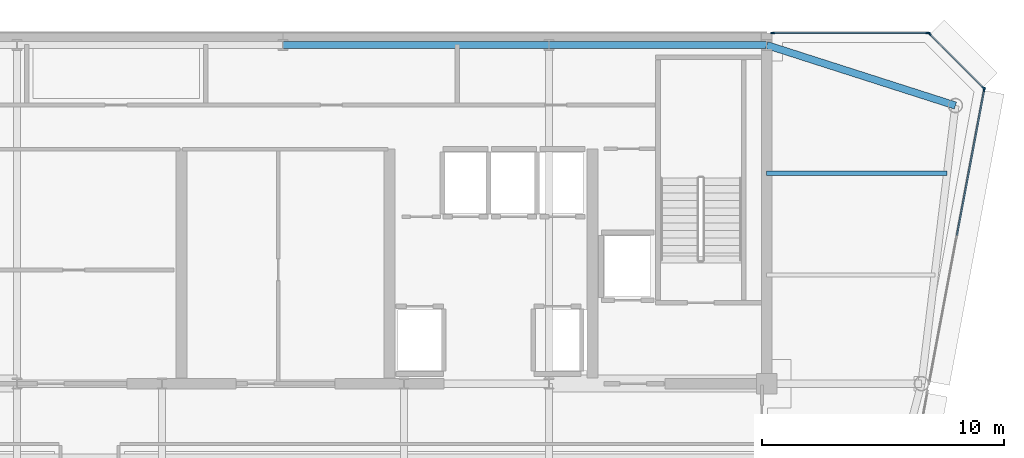
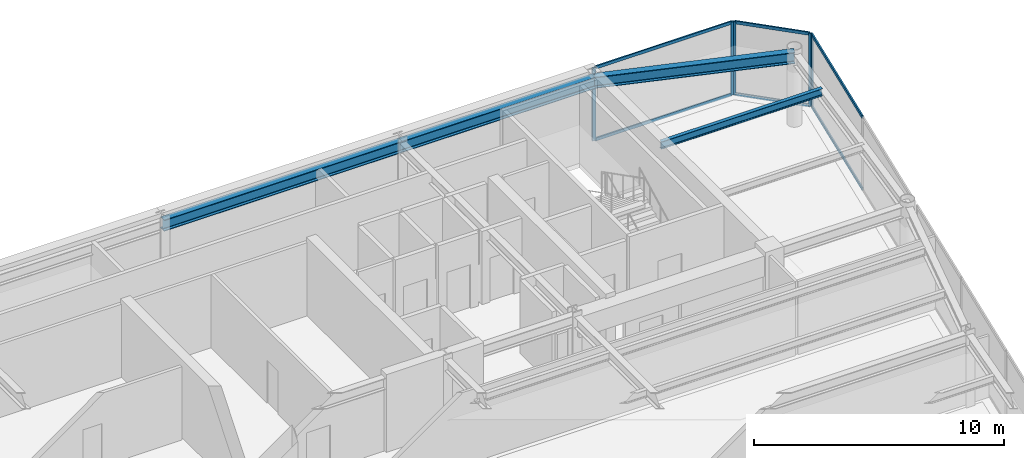
# One storey, part 9 of 20: 11 members, 4 beams, 3 elements without a shape of their own.
"""IFC4 building model written with IfcOpenShell, lengths in metres."""

from ifc_helpers import new_model, si_unit, direction, frame, origin, origin_2d, place, context, subcontext, project, spatial, rectangle, i_section, extrude, source, transform, mapped, material, layer, layer_set, material_profile, profile_set, type_object, element, aggregate, save


model = new_model("IFC4")

# Units and contexts
model_context = context("Model", 3, precision=1e-05, world=origin(), true_north=direction((0.0, 1.0)))
body_context = subcontext(model_context, "Body", "Model", "MODEL_VIEW")
ifc_project = project(units=[si_unit("LENGTHUNIT", "METRE"), si_unit("AREAUNIT", "SQUARE_METRE"), si_unit("VOLUMEUNIT", "CUBIC_METRE"), si_unit("PLANEANGLEUNIT", "RADIAN"), si_unit("MASSUNIT", "GRAM", prefix="KILO")], contexts=[model_context])

# Site, building, storey
site_placement = place(None, origin())
site = spatial("IfcSite", under=ifc_project, at=site_placement, CompositionType="ELEMENT")
building_placement = place(site_placement, origin())
building = spatial("IfcBuilding", under=site, at=building_placement, Name="Vaeldorn Concourse Tower", CompositionType="ELEMENT")
storey_placement = place(building_placement, frame((0.0, 0.0, 268.800048828125)))
storey = spatial("IfcBuildingStorey", under=building, at=storey_placement, Name="L69", CompositionType="ELEMENT", Elevation=268.800048828125)

# Beams
ifc_material_1 = material(Name="Steel S355", Category="steel")
ifc_material_profile_1 = material_profile(ifc_material_1, i_section(OverallWidth=0.300048828125, OverallDepth=0.550048828125, WebThickness=0.014892578125, FlangeThickness=0.029052734375, FilletRadius=0.027099609375, at=origin_2d()), Name="HEB 550")
ifc_profile_set_1 = profile_set([ifc_material_profile_1], Name="Steel S355")
beam_type_1 = type_object("IfcBeamType", Name="BM-PG-HEB550", PredefinedType="BEAM", material=ifc_profile_set_1)
shared_shape_1 = source(origin(), body_context, "Body", "SweptSolid", [
    extrude(i_section(OverallWidth=0.300048828125, OverallDepth=0.550048828125, WebThickness=0.014892578125, FlangeThickness=0.029052734375, FilletRadius=0.027099609375, at=origin_2d()), origin(), (0.0, 0.0, 1.0), 9.0),
])
beam_1_placement = place(storey_placement, frame((45.0, 50.5, 3.304931640625), z_axis=(1.0, 0.0, 0.0), x_axis=(0.0, 1.0, 0.0)))
element("IfcBeam", 1, at=beam_1_placement, inside=storey, type_object=beam_type_1, Name="Beam BM-L69-C-HC4-C-HC5", PredefinedType="BEAM", context=body_context, shape_type="MappedRepresentation", body=[
    mapped(shared_shape_1, transform((0.0, 0.0, 0.0), scale=1.0)),
])
shared_shape_2 = source(origin(), body_context, "Body", "SweptSolid", [
    extrude(i_section(OverallWidth=0.300048828125, OverallDepth=0.550048828125, WebThickness=0.014892578125, FlangeThickness=0.029052734375, FilletRadius=0.027099609375, at=origin_2d()), origin(), (0.0, 0.0, 1.0), 11.0),
])
beam_2_placement = place(storey_placement, frame((34.0, 50.5, 3.304931640625), z_axis=(1.0, 0.0, 0.0), x_axis=(0.0, 1.0, 0.0)))
element("IfcBeam", 2, at=beam_2_placement, inside=storey, type_object=beam_type_1, Name="Beam BM-L69-C-HC3-C-HC4", PredefinedType="BEAM", context=body_context, shape_type="MappedRepresentation", body=[
    mapped(shared_shape_2, transform((0.0, 0.0, 0.0), scale=1.0)),
])
shared_shape_3 = source(origin(), body_context, "Body", "SweptSolid", [
    extrude(i_section(OverallWidth=0.300048828125, OverallDepth=0.550048828125, WebThickness=0.014892578125, FlangeThickness=0.029052734375, FilletRadius=0.027099609375, at=origin_2d()), origin(), (0.0, 0.0, 1.0), 8.19091796875),
])
beam_3_placement = place(storey_placement, frame((54.0, 50.5, 3.304931640625), z_axis=(0.952282843383, -0.305216949396, 0.0), x_axis=(0.305216949396, 0.952282843383, 0.0)))
element("IfcBeam", 3, at=beam_3_placement, inside=storey, type_object=beam_type_1, Name="Beam BM-L69-C-HC5-C-NE1", PredefinedType="BEAM", context=body_context, shape_type="MappedRepresentation", body=[
    mapped(shared_shape_3, transform((0.0, 0.0, 0.0), scale=1.0)),
])
ifc_material_profile_2 = material_profile(ifc_material_1, i_section(OverallWidth=0.169921875, OverallDepth=0.360107421875, WebThickness=0.008056640625, FlangeThickness=0.0126953125, FilletRadius=0.01806640625, at=origin_2d()), Name="IPE 360")
ifc_profile_set_2 = profile_set([ifc_material_profile_2], Name="Steel S355")
beam_type_2 = type_object("IfcBeamType", Name="BM-JS-IPE360", PredefinedType="JOIST", material=ifc_profile_set_2)
shared_shape_4 = source(origin(), body_context, "Body", "SweptSolid", [
    extrude(i_section(OverallWidth=0.169921875, OverallDepth=0.360107421875, WebThickness=0.008056640625, FlangeThickness=0.0126953125, FilletRadius=0.01806640625, at=origin_2d()), origin(), (0.0, 0.0, 1.0), 7.458984375),
])
beam_4_placement = place(storey_placement, frame((54.0, 45.199951171875, 3.39990234375), z_axis=(1.0, 0.0, 0.0), x_axis=(0.0, 1.0, 0.0)))
element("IfcBeam", 4, at=beam_4_placement, inside=storey, type_object=beam_type_2, Name="Beam JS-L69-NE-452", PredefinedType="JOIST", context=body_context, shape_type="MappedRepresentation", body=[
    mapped(shared_shape_4, transform((0.0, 0.0, 0.0), scale=1.0)),
])

# Curtain wall, member
ifc_material_2 = material(Name="Anodised Bronze Aluminium", Category="aluminium")
ifc_layer_1 = layer(ifc_material_2, 0.2099609375)
ifc_layer_set_1 = layer_set([ifc_layer_1], Name="Anodised Bronze Aluminium")
curtain_wall_type_1 = type_object("IfcCurtainWallType", Name="CW-SYS-06", PredefinedType="NOTDEFINED", material=ifc_layer_set_1)
curtain_wall_1_placement = place(storey_placement, origin())
curtain_wall_1 = element("IfcCurtainWall", 5, at=curtain_wall_1_placement, inside=storey, type_object=curtain_wall_type_1, Name="Unitised Curtain Wall CW-L69-E07-2", PredefinedType="NOTDEFINED")
ifc_material_profile_3 = material_profile(ifc_material_2, rectangle(XDim=0.06494140625, YDim=0.169921875, at=origin_2d()), Name="CWM 65x170")
ifc_profile_set_3 = profile_set([ifc_material_profile_3], Name="Anodised Bronze Aluminium")
member_type_1 = type_object("IfcMemberType", Name="CWM-BRONZE-170", PredefinedType="MULLION", material=ifc_profile_set_3)
shared_shape_5 = source(origin(), body_context, "Body", "SweptSolid", [
    extrude(rectangle(XDim=0.06494140625, YDim=0.169921875, at=origin_2d()), origin(), (0.0, 0.0, 1.0), 3.579833984375),
])
member_1_placement = place(storey_placement, frame((62.993896484375, 48.66796875, 0.0), z_axis=(0.0, 0.0, 1.0), x_axis=(-0.982880218842, 0.184245693053, 0.0)))
member_1 = element("IfcMember", 6, at=member_1_placement, type_object=member_type_1, Name="CW-06 mullion 3", PredefinedType="MULLION", context=body_context, shape_type="MappedRepresentation", body=[
    mapped(shared_shape_5, transform((0.0, 0.0, 0.0), scale=1.0)),
])

# Curtain wall, members
ifc_layer_2 = layer(ifc_material_2, 0.179931640625)
ifc_layer_set_2 = layer_set([ifc_layer_2], Name="Anodised Bronze Aluminium")
curtain_wall_type_2 = type_object("IfcCurtainWallType", Name="CW-SYS-05", PredefinedType="NOTDEFINED", material=ifc_layer_set_2)
curtain_wall_2_placement = place(storey_placement, origin())
curtain_wall_2 = element("IfcCurtainWall", 7, at=curtain_wall_2_placement, inside=storey, type_object=curtain_wall_type_2, Name="Unitised Curtain Wall CW-L69-E08-1", PredefinedType="NOTDEFINED")
member_2_placement = place(storey_placement, frame((62.97705078125, 48.722900390625, 0.0), z_axis=(0.0, 0.0, 1.0), x_axis=(-0.707106781187, -0.707106781187, 0.0)))
member_2 = element("IfcMember", 8, at=member_2_placement, type_object=member_type_1, Name="CW-05 mullion 1", PredefinedType="MULLION", context=body_context, shape_type="MappedRepresentation", body=[
    mapped(shared_shape_5, transform((0.0, 0.0, 0.0), scale=1.0)),
])
member_3_placement = place(storey_placement, frame((60.722900390625, 50.97705078125, 0.0), z_axis=(0.0, 0.0, 1.0), x_axis=(-0.707106781187, -0.707106781187, 0.0)))
member_3 = element("IfcMember", 9, at=member_3_placement, type_object=member_type_1, Name="CW-05 mullion 2", PredefinedType="MULLION", context=body_context, shape_type="MappedRepresentation", body=[
    mapped(shared_shape_5, transform((0.0, 0.0, 0.0), scale=1.0)),
])

curtain_wall_3_placement = place(storey_placement, origin())
curtain_wall_3 = element("IfcCurtainWall", 10, at=curtain_wall_3_placement, inside=storey, type_object=curtain_wall_type_2, Name="Unitised Curtain Wall CW-L69-E09-1", PredefinedType="NOTDEFINED")
member_4_placement = place(storey_placement, frame((60.66748046875, 51.0, 0.0), z_axis=(0.0, 0.0, 1.0), x_axis=(0.0, -1.0, 0.0)))
member_4 = element("IfcMember", 11, at=member_4_placement, type_object=member_type_1, Name="CW-05 mullion 1", PredefinedType="MULLION", context=body_context, shape_type="MappedRepresentation", body=[
    mapped(shared_shape_5, transform((0.0, 0.0, 0.0), scale=1.0)),
])
member_5_placement = place(storey_placement, frame((54.25244140625, 51.0, 0.0), z_axis=(0.0, 0.0, 1.0), x_axis=(0.0, -1.0, 0.0)))
member_5 = element("IfcMember", 12, at=member_5_placement, type_object=member_type_1, Name="CW-05 mullion 2", PredefinedType="MULLION", context=body_context, shape_type="MappedRepresentation", body=[
    mapped(shared_shape_5, transform((0.0, 0.0, 0.0), scale=1.0)),
])

# Member
ifc_material_profile_4 = material_profile(ifc_material_2, rectangle(XDim=0.06494140625, YDim=0.14990234375, at=origin_2d()), Name="CWT 65x150")
ifc_profile_set_4 = profile_set([ifc_material_profile_4], Name="Anodised Bronze Aluminium")
member_type_2 = type_object("IfcMemberType", Name="CWT-BRONZE-150", PredefinedType="USERDEFINED", material=ifc_profile_set_4)
shared_shape_6 = source(origin(), body_context, "Body", "SweptSolid", [
    extrude(rectangle(XDim=0.06494140625, YDim=0.14990234375, at=origin_2d()), origin(), (0.0, 0.0, 1.0), 3.123046875),
])
member_6_placement = place(storey_placement, frame((62.9541015625, 48.745849609375, 0.032470703125), z_axis=(-0.707106781187, 0.707106781187, 0.0), x_axis=(-0.707106781187, -0.707106781187, 0.0)))
member_6 = element("IfcMember", 13, at=member_6_placement, type_object=member_type_2, Name="CW-05 transom 1.1", ObjectType="TRANSOM", PredefinedType="USERDEFINED", context=body_context, shape_type="MappedRepresentation", body=[
    mapped(shared_shape_6, transform((0.0, 0.0, 0.0), scale=1.0)),
])

member_7_placement = place(storey_placement, frame((62.9541015625, 48.745849609375, 3.54736328125), z_axis=(-0.707106781187, 0.707106781187, 0.0), x_axis=(-0.707106781187, -0.707106781187, 0.0)))
member_7 = element("IfcMember", 14, at=member_7_placement, type_object=member_type_2, Name="CW-05 transom 1.2", ObjectType="TRANSOM", PredefinedType="USERDEFINED", context=body_context, shape_type="MappedRepresentation", body=[
    mapped(shared_shape_6, transform((0.0, 0.0, 0.0), scale=1.0)),
])

aggregate(curtain_wall_2, [member_2, member_3, member_6, member_7])

shared_shape_7 = source(origin(), body_context, "Body", "SweptSolid", [
    extrude(rectangle(XDim=0.06494140625, YDim=0.14990234375, at=origin_2d()), origin(), (0.0, 0.0, 1.0), 6.35009765625),
])
member_8_placement = place(storey_placement, frame((60.635009765625, 51.0, 0.032470703125), z_axis=(-1.0, 0.0, 0.0), x_axis=(0.0, -1.0, 0.0)))
member_8 = element("IfcMember", 15, at=member_8_placement, type_object=member_type_2, Name="CW-05 transom 1.1", ObjectType="TRANSOM", PredefinedType="USERDEFINED", context=body_context, shape_type="MappedRepresentation", body=[
    mapped(shared_shape_7, transform((0.0, 0.0, 0.0), scale=1.0)),
])

member_9_placement = place(storey_placement, frame((60.635009765625, 51.0, 3.54736328125), z_axis=(-1.0, 0.0, 0.0), x_axis=(0.0, -1.0, 0.0)))
member_9 = element("IfcMember", 16, at=member_9_placement, type_object=member_type_2, Name="CW-05 transom 1.2", ObjectType="TRANSOM", PredefinedType="USERDEFINED", context=body_context, shape_type="MappedRepresentation", body=[
    mapped(shared_shape_7, transform((0.0, 0.0, 0.0), scale=1.0)),
])

aggregate(curtain_wall_3, [member_4, member_5, member_8, member_9])

shared_shape_8 = source(origin(), body_context, "Body", "SweptSolid", [
    extrude(rectangle(XDim=0.06494140625, YDim=0.14990234375, at=origin_2d()), origin(), (0.0, 0.0, 1.0), 6.103515625),
])
member_10_placement = place(storey_placement, frame((61.863525390625, 42.63720703125, 0.032470703125), z_axis=(0.18424023288, 0.982881242363, 0.0), x_axis=(-0.982881242363, 0.18424023288, 0.0)))
member_10 = element("IfcMember", 17, at=member_10_placement, type_object=member_type_2, Name="CW-06 transom 2.1", ObjectType="TRANSOM", PredefinedType="USERDEFINED", context=body_context, shape_type="MappedRepresentation", body=[
    mapped(shared_shape_8, transform((0.0, 0.0, 0.0), scale=1.0)),
])

member_11_placement = place(storey_placement, frame((61.863525390625, 42.63720703125, 3.54736328125), z_axis=(0.18424023288, 0.982881242363, 0.0), x_axis=(-0.982881242363, 0.18424023288, 0.0)))
member_11 = element("IfcMember", 18, at=member_11_placement, type_object=member_type_2, Name="CW-06 transom 2.2", ObjectType="TRANSOM", PredefinedType="USERDEFINED", context=body_context, shape_type="MappedRepresentation", body=[
    mapped(shared_shape_8, transform((0.0, 0.0, 0.0), scale=1.0)),
])

aggregate(curtain_wall_1, [member_1, member_10, member_11])

save(model, "model.ifc")
